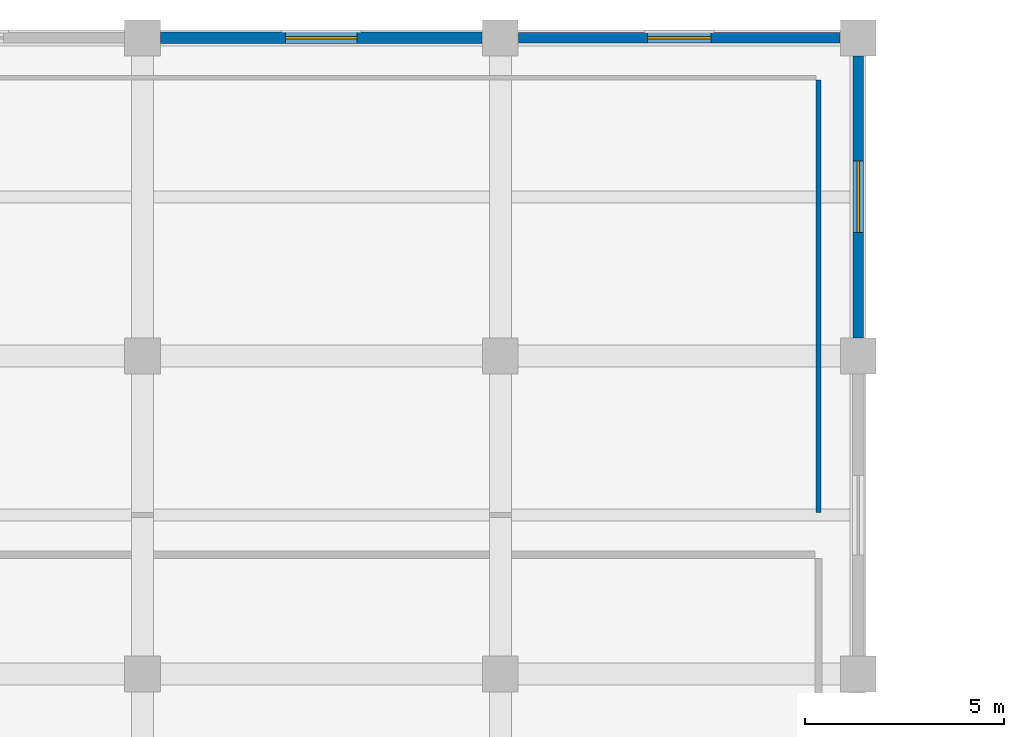
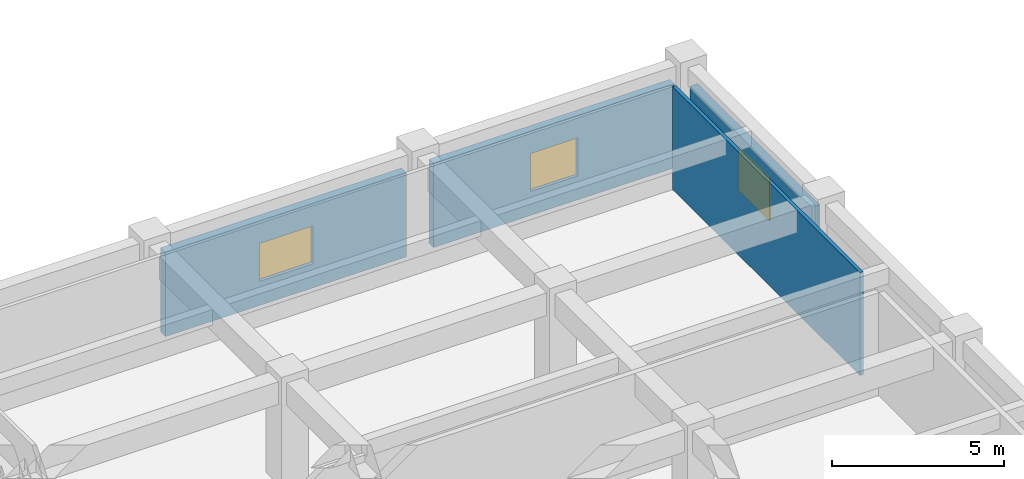
# One storey, part 18 of 23: 4 walls, 3 windows, 3 openings.
"""IFC4 building model written with IfcOpenShell, lengths in metres."""

from ifc_helpers import new_model, si_unit, direction, frame, frame_2d, origin, place, context, subcontext, project, spatial, rectangle, extrude, material, layer, layer_set, type_object, element, fill, save


model = new_model("IFC4")

# Units and contexts
model_context = context("Model", 3, precision=1e-05, world=origin(), true_north=direction((0.0, 1.0)))
body_context = subcontext(model_context, "Body", "Model", "MODEL_VIEW")
ifc_project = project(units=[si_unit("LENGTHUNIT", "METRE"), si_unit("AREAUNIT", "SQUARE_METRE"), si_unit("VOLUMEUNIT", "CUBIC_METRE"), si_unit("PLANEANGLEUNIT", "RADIAN"), si_unit("MASSUNIT", "GRAM", prefix="KILO")], contexts=[model_context])

# Site, building, storey
site_placement = place(None, origin())
site = spatial("IfcSite", under=ifc_project, at=site_placement, CompositionType="ELEMENT")
building_placement = place(site_placement, origin())
building = spatial("IfcBuilding", under=site, at=building_placement, Name="Zaverband Oceanarium and Marine Research Institute", CompositionType="ELEMENT")
storey_placement = place(building_placement, frame((0.0, 0.0, 21.89990234375)))
storey = spatial("IfcBuildingStorey", under=building, at=storey_placement, Name="L05", CompositionType="ELEMENT", Elevation=21.89990234375)

# Wall, opening, window
ifc_material_1 = material(Name="Concrete C40/50 precast", Category="concrete")
ifc_layer_1 = layer(ifc_material_1, 0.264892578125, Name="Concrete C40/50 precast")
ifc_layer_set_1 = layer_set([ifc_layer_1], Name="Concrete C40/50 precast")
wall_type_1 = type_object("IfcWallType", Name="EW-265", PredefinedType="STANDARD", material=ifc_layer_set_1)
wall_1_placement = place(storey_placement, frame((63.455078125, 112.0, 0.0), z_axis=(0.0, 0.0, 1.0), x_axis=(1.0, 0.0, 0.0)))
wall_1 = element("IfcWall", 1, at=wall_1_placement, inside=storey, type_object=wall_type_1, Name="Exterior infill wall EW-265", PredefinedType="STANDARD", context=body_context, shape_type="SweptSolid", body=[
    extrude(rectangle(XDim=8.08984375, YDim=0.264892578125, at=frame_2d((4.044921875, 0.0))), origin(), (0.0, 0.0, 1.0), 2.97998046875),
])
opening_1_placement = place(wall_1_placement, frame((3.2451171875, 0.0, 0.85009765625)))
opening_1 = element("IfcOpeningElement", 2, at=opening_1_placement, cuts=wall_1, Name="Opening WN-1600x1350", PredefinedType="OPENING", context=body_context, shape_type="SweptSolid", body=[
    extrude(rectangle(XDim=1.60009765625, YDim=1.35009765625, at=frame_2d((0.800048828125, 0.675048828125))), frame((0.0, 0.14453125, 0.0), z_axis=(0.0, -1.0, 0.0), x_axis=(1.0, 0.0, 0.0)), (0.0, 0.0, 1.0), 0.288818359375),
])
ifc_material_2 = material(Name="Thermally broken anodized aluminium and solar-control glass", Category="aluminium")
window_type_1 = type_object("IfcWindowType", Name="WN-1600x1350", PartitioningType="SINGLE_PANEL", PredefinedType="WINDOW", material=ifc_material_2)
window_1_placement = place(opening_1_placement, origin())
window_1 = element("IfcWindow", 3, at=window_1_placement, inside=storey, type_object=window_type_1, Name="Fixed / casement exterior window WN-1600x1350", OverallHeight=1.35009765625, OverallWidth=1.60009765625, PartitioningType="SINGLE_PANEL", PredefinedType="WINDOW", context=body_context, shape_type="SweptSolid", body=[
    extrude(rectangle(XDim=1.60009765625, YDim=1.35009765625, at=frame_2d((0.800048828125, 0.675048828125))), frame((0.0, 0.030029296875, 0.0), z_axis=(0.0, -1.0, 0.0), x_axis=(1.0, 0.0, 0.0)), (0.0, 0.0, 1.0), 0.06005859375),
])
fill(opening_1, window_1)

wall_2_placement = place(storey_placement, frame((72.0, 104.455078125, 0.0), z_axis=(0.0, 0.0, 1.0), x_axis=(0.0, 1.0, 0.0)))
wall_2 = element("IfcWall", 4, at=wall_2_placement, inside=storey, type_object=wall_type_1, Name="Exterior infill wall EW-265", PredefinedType="STANDARD", context=body_context, shape_type="SweptSolid", body=[
    extrude(rectangle(XDim=7.08984375, YDim=0.264892578125, at=frame_2d((3.544921875, 0.0))), origin(), (0.0, 0.0, 1.0), 2.97998046875),
])
opening_2_placement = place(wall_2_placement, frame((2.64501953125, 0.0, 0.85009765625)))
opening_2 = element("IfcOpeningElement", 5, at=opening_2_placement, cuts=wall_2, Name="Opening WN-1800x1500", PredefinedType="OPENING", context=body_context, shape_type="SweptSolid", body=[
    extrude(rectangle(XDim=1.800048828125, YDim=1.5, at=frame_2d((0.89990234375, 0.75))), frame((0.0, 0.14453125, 0.0), z_axis=(0.0, -1.0, 0.0), x_axis=(1.0, 0.0, 0.0)), (0.0, 0.0, 1.0), 0.288818359375),
])
window_type_2 = type_object("IfcWindowType", Name="WN-1800x1500", PartitioningType="SINGLE_PANEL", PredefinedType="WINDOW", material=ifc_material_2)
window_2_placement = place(opening_2_placement, origin())
window_2 = element("IfcWindow", 6, at=window_2_placement, inside=storey, type_object=window_type_2, Name="Fixed / casement exterior window WN-1800x1500", OverallHeight=1.5, OverallWidth=1.800048828125, PartitioningType="SINGLE_PANEL", PredefinedType="WINDOW", context=body_context, shape_type="SweptSolid", body=[
    extrude(rectangle(XDim=1.800048828125, YDim=1.5, at=frame_2d((0.89990234375, 0.75))), frame((0.0, 0.030029296875, 0.0), z_axis=(0.0, -1.0, 0.0), x_axis=(1.0, 0.0, 0.0)), (0.0, 0.0, 1.0), 0.06005859375),
])
fill(opening_2, window_2)

ifc_layer_2 = layer(ifc_material_1, 0.2900390625, Name="Concrete C40/50 precast")
ifc_layer_set_2 = layer_set([ifc_layer_2], Name="Concrete C40/50 precast")
wall_type_2 = type_object("IfcWallType", Name="EW-290", PredefinedType="STANDARD", material=ifc_layer_set_2)
wall_3_placement = place(storey_placement, frame((54.455078125, 112.0, 0.0), z_axis=(0.0, 0.0, 1.0), x_axis=(1.0, 0.0, 0.0)))
wall_3 = element("IfcWall", 7, at=wall_3_placement, inside=storey, type_object=wall_type_2, Name="Exterior infill wall EW-290", PredefinedType="STANDARD", context=body_context, shape_type="SweptSolid", body=[
    extrude(rectangle(XDim=8.08984375, YDim=0.2900390625, at=frame_2d((4.044921875, 0.0))), origin(), (0.0, 0.0, 1.0), 2.97998046875),
])
opening_3_placement = place(wall_3_placement, frame((3.14501953125, 0.0, 0.85009765625)))
opening_3 = element("IfcOpeningElement", 8, at=opening_3_placement, cuts=wall_3, Name="Opening WN-1800x1350", PredefinedType="OPENING", context=body_context, shape_type="SweptSolid", body=[
    extrude(rectangle(XDim=1.800048828125, YDim=1.35009765625, at=frame_2d((0.89990234375, 0.675048828125))), frame((0.0, 0.156982421875, 0.0), z_axis=(0.0, -1.0, 0.0), x_axis=(1.0, 0.0, 0.0)), (0.0, 0.0, 1.0), 0.31396484375),
])
window_type_3 = type_object("IfcWindowType", Name="WN-1800x1350", PartitioningType="SINGLE_PANEL", PredefinedType="WINDOW", material=ifc_material_2)
window_3_placement = place(opening_3_placement, origin())
window_3 = element("IfcWindow", 9, at=window_3_placement, inside=storey, type_object=window_type_3, Name="Fixed / casement exterior window WN-1800x1350", OverallHeight=1.35009765625, OverallWidth=1.800048828125, PartitioningType="SINGLE_PANEL", PredefinedType="WINDOW", context=body_context, shape_type="SweptSolid", body=[
    extrude(rectangle(XDim=1.800048828125, YDim=1.35009765625, at=frame_2d((0.89990234375, 0.675048828125))), frame((0.0, 0.030029296875, 0.0), z_axis=(0.0, -1.0, 0.0), x_axis=(1.0, 0.0, 0.0)), (0.0, 0.0, 1.0), 0.06005859375),
])
fill(opening_3, window_3)

# Wall
ifc_material_3 = material(Name="Insulated metal-stud office partition")
ifc_layer_3 = layer(ifc_material_3, 0.1201171875, Name="Insulated metal-stud office partition")
ifc_layer_set_3 = layer_set([ifc_layer_3], Name="Insulated metal-stud office partition")
wall_type_3 = type_object("IfcWallType", Name="PT-120-OF", PredefinedType="PARTITIONING", material=ifc_layer_set_3)
wall_4_placement = place(storey_placement, frame((71.0, 100.06005859375, 0.0), z_axis=(0.0, 0.0, 1.0), x_axis=(0.0, 1.0, 0.0)))
element("IfcWall", 10, at=wall_4_placement, inside=storey, type_object=wall_type_3, Name="Internal partition PT-120-OF", PredefinedType="PARTITIONING", context=body_context, shape_type="SweptSolid", body=[
    extrude(rectangle(XDim=10.8798828125, YDim=0.1201171875, at=frame_2d((5.43994140625, 0.0))), origin(), (0.0, 0.0, 1.0), 3.650146484375),
])

save(model, "model.ifc")
